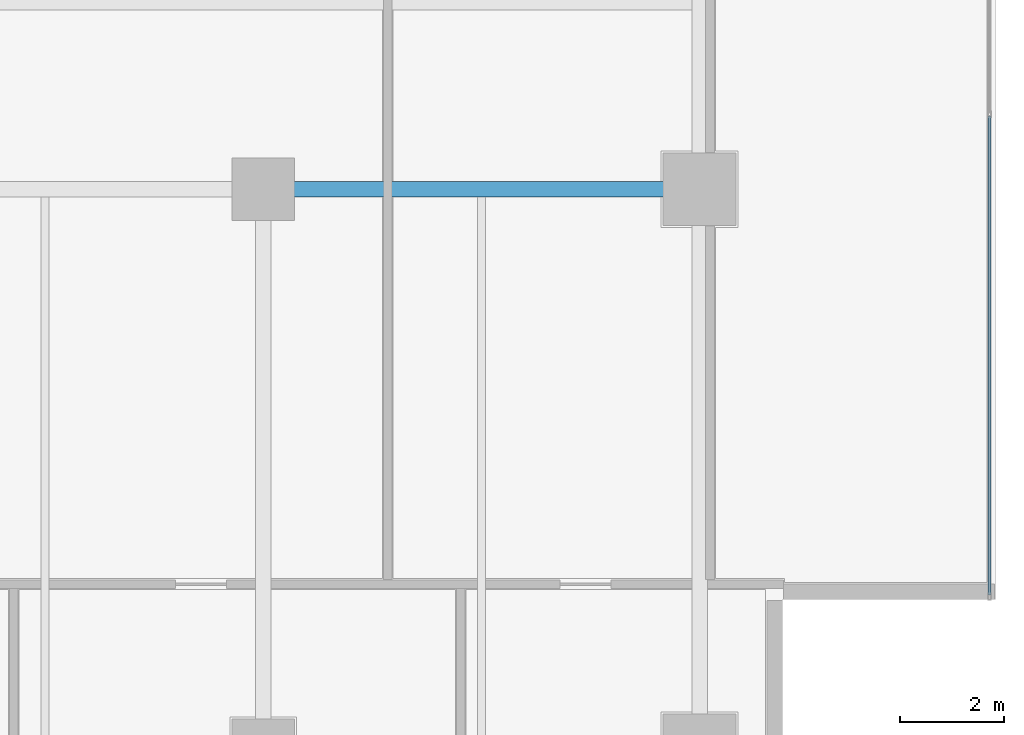
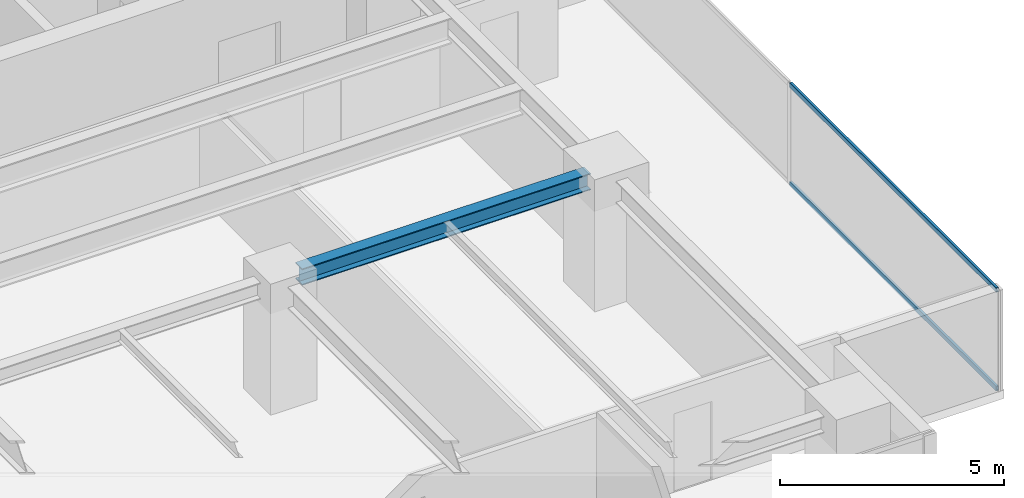
# One storey, part 12 of 26: 2 members, 1 beam, 1 element without a shape of its own.
"""IFC4 building model written with IfcOpenShell, lengths in metres."""

from ifc_helpers import new_model, si_unit, direction, frame, origin, origin_2d, place, context, subcontext, project, spatial, hollow_rectangle, i_section, extrude, source, transform, mapped, material, layer, layer_set, material_profile, profile_set, type_object, element, aggregate, save


model = new_model("IFC4")

# Units and contexts
model_context = context("Model", 3, precision=1e-05, world=origin(), true_north=direction((0.0, 1.0)))
body_context = subcontext(model_context, "Body", "Model", "MODEL_VIEW")
ifc_project = project(units=[si_unit("LENGTHUNIT", "METRE"), si_unit("AREAUNIT", "SQUARE_METRE"), si_unit("VOLUMEUNIT", "CUBIC_METRE"), si_unit("PLANEANGLEUNIT", "RADIAN"), si_unit("MASSUNIT", "GRAM", prefix="KILO")], contexts=[model_context])

# Site, building, storey
site_placement = place(None, origin())
site = spatial("IfcSite", under=ifc_project, at=site_placement, CompositionType="ELEMENT")
building_placement = place(site_placement, origin())
building = spatial("IfcBuilding", under=site, at=building_placement, Name="Sumidabori Civic Tower", CompositionType="ELEMENT")
storey_placement = place(building_placement, frame((0.0, 0.0, 261.199951171875)))
storey = spatial("IfcBuildingStorey", under=building, at=storey_placement, Name="L68", CompositionType="ELEMENT", Elevation=261.199951171875)

# Beam
ifc_material_1 = material(Name="Steel SN490", Category="steel")
ifc_material_profile_1 = material_profile(ifc_material_1, i_section(OverallWidth=0.300048828125, OverallDepth=0.449951171875, WebThickness=0.013916015625, FlangeThickness=0.02587890625, at=origin_2d()), Name="HE 450 B")
ifc_profile_set_1 = profile_set([ifc_material_profile_1], Name="Steel SN490")
beam_type = type_object("IfcBeamType", Name="BM-GIRD-450", PredefinedType="BEAM", material=ifc_profile_set_1)
shared_shape_1 = source(origin(), body_context, "Body", "SweptSolid", [
    extrude(i_section(OverallWidth=0.300048828125, OverallDepth=0.449951171875, WebThickness=0.013916015625, FlangeThickness=0.02587890625, at=origin_2d()), origin(), (0.0, 0.0, 1.0), 7.440185546875),
])
beam_placement = place(storey_placement, frame((8.8798828125, 0.0, 3.14501953125), z_axis=(1.0, 0.0, 0.0), x_axis=(0.0, 1.0, 0.0)))
element("IfcBeam", 1, at=beam_placement, inside=storey, type_object=beam_type, Name="Primary Girder L68 GX-08", PredefinedType="BEAM", context=body_context, shape_type="MappedRepresentation", body=[
    mapped(shared_shape_1, transform((0.0, 0.0, 0.0), x_axis=(1.0, 0.0, 0.0), y_axis=(0.0, 1.0, 0.0), z_axis=(0.0, 0.0, 1.0), scale=1.0)),
])

# Curtain wall, members
ifc_material_2 = material(Name="Anodised Bronze Aluminium AW-6063-T6", Category="aluminium")
ifc_layer = layer(ifc_material_2, 0.179931640625, Name="Anodised Bronze Aluminium AW-6063-T6")
ifc_layer_set = layer_set([ifc_layer], Name="Anodised Bronze Aluminium AW-6063-T6")
curtain_wall_type = type_object("IfcCurtainWallType", Name="CW-SYS-5", PredefinedType="NOTDEFINED", material=ifc_layer_set)
curtain_wall_placement = place(storey_placement, origin())
curtain_wall = element("IfcCurtainWall", 2, at=curtain_wall_placement, inside=storey, type_object=curtain_wall_type, Name="Curtain Wall CW:L68:R04", PredefinedType="NOTDEFINED")
ifc_material_profile_2 = material_profile(ifc_material_2, hollow_rectangle(XDim=0.06005859375, YDim=0.1298828125, WallThickness=0.0048828125, at=origin_2d()), Name="ALU TRANSOM 130x60")
ifc_profile_set_2 = profile_set([ifc_material_profile_2], Name="Anodised Bronze Aluminium AW-6063-T6")
member_type = type_object("IfcMemberType", Name="CW-TRN-130", PredefinedType="USERDEFINED", material=ifc_profile_set_2)
shared_shape_2 = source(origin(), body_context, "Body", "SweptSolid", [
    extrude(hollow_rectangle(XDim=0.06005859375, YDim=0.1298828125, WallThickness=0.0048828125, at=origin_2d()), origin(), (0.0, 0.0, 1.0), 9.223388671875),
])
member_1_placement = place(storey_placement, frame((22.3798828125, -7.81005859375, 0.030029296875), z_axis=(0.0, 1.0, 0.0), x_axis=(-1.0, 0.0, 0.0)))
member_1 = element("IfcMember", 3, at=member_1_placement, type_object=member_type, Name="CW-5 transom 1.1", ObjectType="TRANSOM", PredefinedType="USERDEFINED", context=body_context, shape_type="MappedRepresentation", body=[
    mapped(shared_shape_2, transform((0.0, 0.0, 0.0), x_axis=(1.0, 0.0, 0.0), y_axis=(0.0, 1.0, 0.0), z_axis=(0.0, 0.0, 1.0), scale=1.0)),
])
member_2_placement = place(storey_placement, frame((22.3798828125, -7.81005859375, 2.719970703125), z_axis=(0.0, 1.0, 0.0), x_axis=(-1.0, 0.0, 0.0)))
member_2 = element("IfcMember", 4, at=member_2_placement, type_object=member_type, Name="CW-5 transom 1.2", ObjectType="TRANSOM", PredefinedType="USERDEFINED", context=body_context, shape_type="MappedRepresentation", body=[
    mapped(shared_shape_2, transform((0.0, 0.0, 0.0), x_axis=(1.0, 0.0, 0.0), y_axis=(0.0, 1.0, 0.0), z_axis=(0.0, 0.0, 1.0), scale=1.0)),
])
aggregate(curtain_wall, [member_1, member_2])

save(model, "model.ifc")
